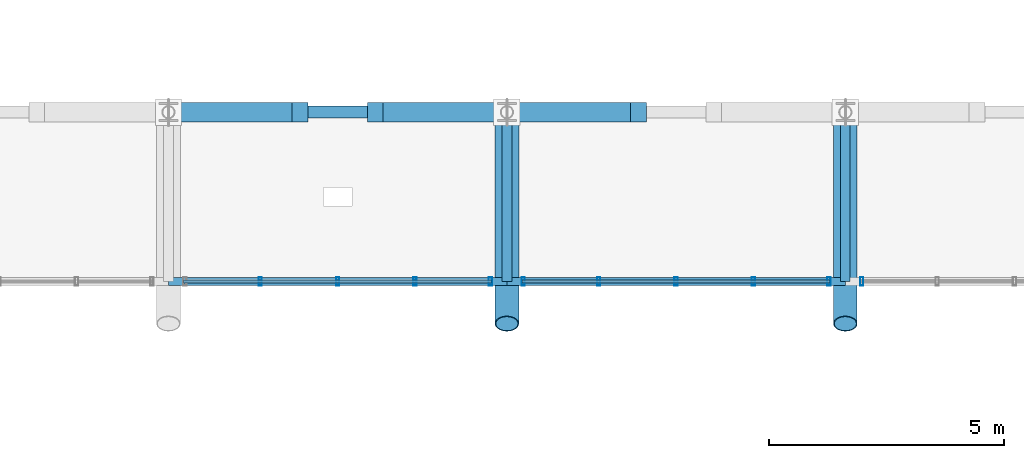
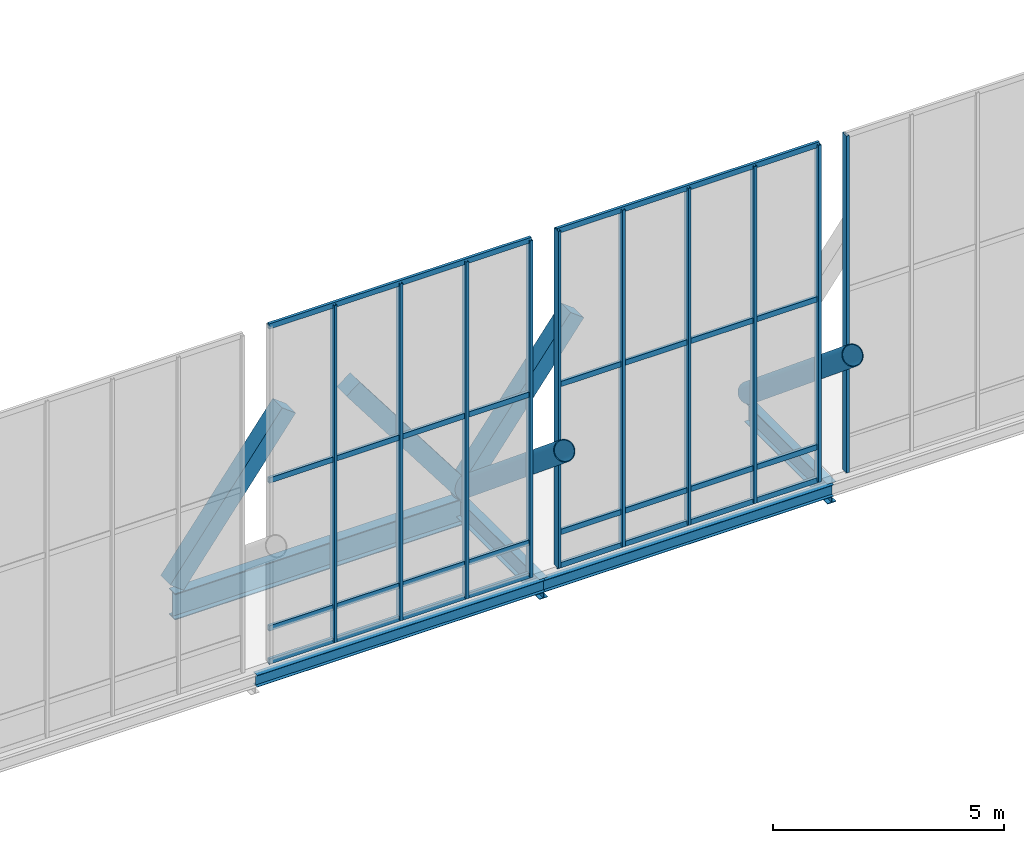
# One storey, part 42 of 102: 23 members, 5 beams, 3 elements without a shape of their own.
"""IFC4 building model written with IfcOpenShell, lengths in metres."""

from ifc_helpers import new_model, si_unit, direction, frame, origin, origin_2d, place, context, subcontext, project, spatial, rectangle, hollow_rectangle, hollow_circle, i_section, extrude, material, material_profile, profile_set, type_object, element, aggregate, save


model = new_model("IFC4")

# Units and contexts
model_context = context("Model", 3, precision=1e-05, world=origin(), true_north=direction((0.0, 1.0)))
body_context = subcontext(model_context, "Body", "Model", "MODEL_VIEW")
ifc_project = project(units=[si_unit("LENGTHUNIT", "METRE"), si_unit("AREAUNIT", "SQUARE_METRE"), si_unit("VOLUMEUNIT", "CUBIC_METRE"), si_unit("PLANEANGLEUNIT", "RADIAN"), si_unit("MASSUNIT", "GRAM", prefix="KILO")], contexts=[model_context])

# Site, building, storey
site_placement = place(None, origin())
site = spatial("IfcSite", under=ifc_project, at=site_placement, CompositionType="ELEMENT")
building_placement = place(site_placement, origin())
building = spatial("IfcBuilding", under=site, at=building_placement, Name="Yarey Park Central Fire Station", CompositionType="ELEMENT")
storey_placement = place(building_placement, frame((0.0, 0.0, 6.0)))
storey = spatial("IfcBuildingStorey", under=building, at=storey_placement, Name="L02", CompositionType="ELEMENT", Elevation=6.0)

# Curtain wall, members
ifc_material_1 = material(Name="Anodized Aluminium Frame", Category="aluminium")
curtain_wall_type = type_object("IfcCurtainWallType", Name="ENV_CW_CLER_9M", PredefinedType="NOTDEFINED", material=ifc_material_1)
curtain_wall_1_placement = place(storey_placement, origin())
curtain_wall_1 = element("IfcCurtainWall", 1, at=curtain_wall_1_placement, inside=storey, type_object=curtain_wall_type, Name="CW_V2_CLER_N_05", PredefinedType="NOTDEFINED")
ifc_material_profile_1 = material_profile(ifc_material_1, hollow_rectangle(XDim=0.070068359375, YDim=0.179931640625, WallThickness=0.00390625, at=origin_2d()), Name="ALU 180x70x4")
ifc_profile_set_1 = profile_set([ifc_material_profile_1], Name="Anodized Aluminium Frame")
member_type_1 = type_object("IfcMemberType", Name="ENV_CW_MULLION", PredefinedType="MULLION", material=ifc_profile_set_1)
member_1_placement = place(storey_placement, frame((93.25, 90.0, 0.0), z_axis=(0.0, 0.0, 1.0), x_axis=(1.0, 0.0, 0.0)))
member_1 = element("IfcMember", 2, at=member_1_placement, type_object=member_type_1, Name="CW_V2_CLER_N_05_MUL1", PredefinedType="MULLION", context=body_context, shape_type="SweptSolid", body=[
    extrude(hollow_rectangle(XDim=0.070068359375, YDim=0.179931640625, WallThickness=0.00390625, at=origin_2d()), origin(), (0.0, 0.0, 1.0), 8.89990234375),
])
member_2_placement = place(storey_placement, frame((91.64501953125, 90.0, 0.0), z_axis=(0.0, 0.0, 1.0), x_axis=(1.0, 0.0, 0.0)))
member_2 = element("IfcMember", 3, at=member_2_placement, type_object=member_type_1, Name="CW_V2_CLER_N_05_MUL2", PredefinedType="MULLION", context=body_context, shape_type="SweptSolid", body=[
    extrude(hollow_rectangle(XDim=0.070068359375, YDim=0.179931640625, WallThickness=0.00390625, at=origin_2d()), origin(), (0.0, 0.0, 1.0), 8.89990234375),
])
member_3_placement = place(storey_placement, frame((90.0, 90.0, 0.0), z_axis=(0.0, 0.0, 1.0), x_axis=(1.0, 0.0, 0.0)))
member_3 = element("IfcMember", 4, at=member_3_placement, type_object=member_type_1, Name="CW_V2_CLER_N_05_MUL3", PredefinedType="MULLION", context=body_context, shape_type="SweptSolid", body=[
    extrude(hollow_rectangle(XDim=0.070068359375, YDim=0.179931640625, WallThickness=0.00390625, at=origin_2d()), origin(), (0.0, 0.0, 1.0), 8.89990234375),
])
member_4_placement = place(storey_placement, frame((88.35498046875, 90.0, 0.0), z_axis=(0.0, 0.0, 1.0), x_axis=(1.0, 0.0, 0.0)))
member_4 = element("IfcMember", 5, at=member_4_placement, type_object=member_type_1, Name="CW_V2_CLER_N_05_MUL4", PredefinedType="MULLION", context=body_context, shape_type="SweptSolid", body=[
    extrude(hollow_rectangle(XDim=0.070068359375, YDim=0.179931640625, WallThickness=0.00390625, at=origin_2d()), origin(), (0.0, 0.0, 1.0), 8.89990234375),
])

curtain_wall_2_placement = place(storey_placement, origin())
curtain_wall_2 = element("IfcCurtainWall", 6, at=curtain_wall_2_placement, inside=storey, type_object=curtain_wall_type, Name="CW_V2_CLER_N_06", PredefinedType="NOTDEFINED")
member_5_placement = place(storey_placement, frame((100.449951171875, 90.0, 0.0), z_axis=(0.0, 0.0, 1.0), x_axis=(1.0, 0.0, 0.0)))
member_5 = element("IfcMember", 7, at=member_5_placement, type_object=member_type_1, Name="CW_V2_CLER_N_06_MUL1", PredefinedType="MULLION", context=body_context, shape_type="SweptSolid", body=[
    extrude(hollow_rectangle(XDim=0.070068359375, YDim=0.179931640625, WallThickness=0.00390625, at=origin_2d()), origin(), (0.0, 0.0, 1.0), 8.89990234375),
])
member_6_placement = place(storey_placement, frame((98.844970703125, 90.0, 0.0), z_axis=(0.0, 0.0, 1.0), x_axis=(1.0, 0.0, 0.0)))
member_6 = element("IfcMember", 8, at=member_6_placement, type_object=member_type_1, Name="CW_V2_CLER_N_06_MUL2", PredefinedType="MULLION", context=body_context, shape_type="SweptSolid", body=[
    extrude(hollow_rectangle(XDim=0.070068359375, YDim=0.179931640625, WallThickness=0.00390625, at=origin_2d()), origin(), (0.0, 0.0, 1.0), 8.89990234375),
])
member_7_placement = place(storey_placement, frame((97.199951171875, 90.0, 0.0), z_axis=(0.0, 0.0, 1.0), x_axis=(1.0, 0.0, 0.0)))
member_7 = element("IfcMember", 9, at=member_7_placement, type_object=member_type_1, Name="CW_V2_CLER_N_06_MUL3", PredefinedType="MULLION", context=body_context, shape_type="SweptSolid", body=[
    extrude(hollow_rectangle(XDim=0.070068359375, YDim=0.179931640625, WallThickness=0.00390625, at=origin_2d()), origin(), (0.0, 0.0, 1.0), 8.89990234375),
])
member_8_placement = place(storey_placement, frame((95.554931640625, 90.0, 0.0), z_axis=(0.0, 0.0, 1.0), x_axis=(1.0, 0.0, 0.0)))
member_8 = element("IfcMember", 10, at=member_8_placement, type_object=member_type_1, Name="CW_V2_CLER_N_06_MUL4", PredefinedType="MULLION", context=body_context, shape_type="SweptSolid", body=[
    extrude(hollow_rectangle(XDim=0.070068359375, YDim=0.179931640625, WallThickness=0.00390625, at=origin_2d()), origin(), (0.0, 0.0, 1.0), 8.89990234375),
])
member_9_placement = place(storey_placement, frame((93.949951171875, 90.0, 0.0), z_axis=(0.0, 0.0, 1.0), x_axis=(1.0, 0.0, 0.0)))
member_9 = element("IfcMember", 11, at=member_9_placement, type_object=member_type_1, Name="CW_V2_CLER_N_06_MUL5", PredefinedType="MULLION", context=body_context, shape_type="SweptSolid", body=[
    extrude(hollow_rectangle(XDim=0.070068359375, YDim=0.179931640625, WallThickness=0.00390625, at=origin_2d()), origin(), (0.0, 0.0, 1.0), 8.89990234375),
])

# Curtain wall, member
curtain_wall_3_placement = place(storey_placement, origin())
curtain_wall_3 = element("IfcCurtainWall", 12, at=curtain_wall_3_placement, inside=storey, type_object=curtain_wall_type, Name="CW_V2_CLER_N_07", PredefinedType="NOTDEFINED")
member_10_placement = place(storey_placement, frame((101.14990234375, 90.0, 0.0), z_axis=(0.0, 0.0, 1.0), x_axis=(1.0, 0.0, 0.0)))
member_10 = element("IfcMember", 13, at=member_10_placement, type_object=member_type_1, Name="CW_V2_CLER_N_07_MUL5", PredefinedType="MULLION", context=body_context, shape_type="SweptSolid", body=[
    extrude(hollow_rectangle(XDim=0.070068359375, YDim=0.179931640625, WallThickness=0.00390625, at=origin_2d()), origin(), (0.0, 0.0, 1.0), 8.89990234375),
])
aggregate(curtain_wall_3, [member_10])

# Member
ifc_material_profile_2 = material_profile(ifc_material_1, hollow_rectangle(XDim=0.070068359375, YDim=0.139892578125, WallThickness=0.00390625, at=origin_2d()), Name="ALU 140x70x4")
ifc_profile_set_2 = profile_set([ifc_material_profile_2], Name="Anodized Aluminium Frame")
member_type_2 = type_object("IfcMemberType", Name="ENV_CW_TRANSOM", PredefinedType="USERDEFINED", material=ifc_profile_set_2)
member_11_placement = place(storey_placement, frame((93.27490234375, 90.0, 0.02490234375), z_axis=(-1.0, 0.0, 0.0), x_axis=(0.0, -1.0, 0.0)))
member_11 = element("IfcMember", 14, at=member_11_placement, type_object=member_type_2, Name="CW_V2_CLER_N_05_TRN1", ObjectType="TRANSOM", PredefinedType="USERDEFINED", context=body_context, shape_type="SweptSolid", body=[
    extrude(hollow_rectangle(XDim=0.070068359375, YDim=0.139892578125, WallThickness=0.00390625, at=origin_2d()), origin(), (0.0, 0.0, 1.0), 6.5498046875),
])

member_12_placement = place(storey_placement, frame((93.27490234375, 90.0, 0.89990234375), z_axis=(-1.0, 0.0, 0.0), x_axis=(0.0, -1.0, 0.0)))
member_12 = element("IfcMember", 15, at=member_12_placement, type_object=member_type_2, Name="CW_V2_CLER_N_05_TRN2", ObjectType="TRANSOM", PredefinedType="USERDEFINED", context=body_context, shape_type="SweptSolid", body=[
    extrude(hollow_rectangle(XDim=0.070068359375, YDim=0.139892578125, WallThickness=0.00390625, at=origin_2d()), origin(), (0.0, 0.0, 1.0), 6.5498046875),
])

member_13_placement = place(storey_placement, frame((93.27490234375, 90.0, 4.805908203125), z_axis=(-1.0, 0.0, 0.0), x_axis=(0.0, -1.0, 0.0)))
member_13 = element("IfcMember", 16, at=member_13_placement, type_object=member_type_2, Name="CW_V2_CLER_N_05_TRN3", ObjectType="TRANSOM", PredefinedType="USERDEFINED", context=body_context, shape_type="SweptSolid", body=[
    extrude(hollow_rectangle(XDim=0.070068359375, YDim=0.139892578125, WallThickness=0.00390625, at=origin_2d()), origin(), (0.0, 0.0, 1.0), 6.5498046875),
])

member_14_placement = place(storey_placement, frame((93.27490234375, 90.0, 8.875), z_axis=(-1.0, 0.0, 0.0), x_axis=(0.0, -1.0, 0.0)))
member_14 = element("IfcMember", 17, at=member_14_placement, type_object=member_type_2, Name="CW_V2_CLER_N_05_TRN4", ObjectType="TRANSOM", PredefinedType="USERDEFINED", context=body_context, shape_type="SweptSolid", body=[
    extrude(hollow_rectangle(XDim=0.070068359375, YDim=0.139892578125, WallThickness=0.00390625, at=origin_2d()), origin(), (0.0, 0.0, 1.0), 6.5498046875),
])

aggregate(curtain_wall_1, [member_1, member_2, member_3, member_4, member_11, member_12, member_13, member_14])

member_15_placement = place(storey_placement, frame((100.47509765625, 90.0, 0.02490234375), z_axis=(-1.0, 0.0, 0.0), x_axis=(0.0, -1.0, 0.0)))
member_15 = element("IfcMember", 18, at=member_15_placement, type_object=member_type_2, Name="CW_V2_CLER_N_06_TRN1", ObjectType="TRANSOM", PredefinedType="USERDEFINED", context=body_context, shape_type="SweptSolid", body=[
    extrude(hollow_rectangle(XDim=0.070068359375, YDim=0.139892578125, WallThickness=0.00390625, at=origin_2d()), origin(), (0.0, 0.0, 1.0), 6.550048828125),
])

member_16_placement = place(storey_placement, frame((100.47509765625, 90.0, 0.89990234375), z_axis=(-1.0, 0.0, 0.0), x_axis=(0.0, -1.0, 0.0)))
member_16 = element("IfcMember", 19, at=member_16_placement, type_object=member_type_2, Name="CW_V2_CLER_N_06_TRN2", ObjectType="TRANSOM", PredefinedType="USERDEFINED", context=body_context, shape_type="SweptSolid", body=[
    extrude(hollow_rectangle(XDim=0.070068359375, YDim=0.139892578125, WallThickness=0.00390625, at=origin_2d()), origin(), (0.0, 0.0, 1.0), 6.550048828125),
])

member_17_placement = place(storey_placement, frame((100.47509765625, 90.0, 4.805908203125), z_axis=(-1.0, 0.0, 0.0), x_axis=(0.0, -1.0, 0.0)))
member_17 = element("IfcMember", 20, at=member_17_placement, type_object=member_type_2, Name="CW_V2_CLER_N_06_TRN3", ObjectType="TRANSOM", PredefinedType="USERDEFINED", context=body_context, shape_type="SweptSolid", body=[
    extrude(hollow_rectangle(XDim=0.070068359375, YDim=0.139892578125, WallThickness=0.00390625, at=origin_2d()), origin(), (0.0, 0.0, 1.0), 6.550048828125),
])

member_18_placement = place(storey_placement, frame((100.47509765625, 90.0, 8.875), z_axis=(-1.0, 0.0, 0.0), x_axis=(0.0, -1.0, 0.0)))
member_18 = element("IfcMember", 21, at=member_18_placement, type_object=member_type_2, Name="CW_V2_CLER_N_06_TRN4", ObjectType="TRANSOM", PredefinedType="USERDEFINED", context=body_context, shape_type="SweptSolid", body=[
    extrude(hollow_rectangle(XDim=0.070068359375, YDim=0.139892578125, WallThickness=0.00390625, at=origin_2d()), origin(), (0.0, 0.0, 1.0), 6.550048828125),
])

aggregate(curtain_wall_2, [member_5, member_6, member_7, member_8, member_9, member_15, member_16, member_17, member_18])

# Beams
ifc_material_2 = material(Name="Steel ASTM A992 Gr. 50", Category="steel")
ifc_material_profile_3 = material_profile(ifc_material_2, i_section(OverallWidth=0.208984375, OverallDepth=0.532958984375, WebThickness=0.01025390625, FlangeThickness=0.015625, at=origin_2d()), Name="W530x92")
ifc_profile_set_3 = profile_set([ifc_material_profile_3], Name="Steel ASTM A992 Gr. 50")
beam_type_1 = type_object("IfcBeamType", Name="STR_BM_W530", PredefinedType="BEAM", material=ifc_profile_set_3)
for number, where, z_axis, x_axis, name in (
    (22, (93.60009765625, 90.0, -0.46142578125), (0.0, 1.0, 0.0), (-1.0, 0.0, 0.0), "EAVE RIB N 05"),
    (23, (100.800048828125, 90.0, -0.46142578125), (0.0, 1.0, 0.0), (-1.0, 0.0, 0.0), "EAVE RIB N 06"),
):
    element("IfcBeam", number, at=place(storey_placement, frame(where, z_axis=z_axis, x_axis=x_axis)), inside=storey, type_object=beam_type_1, Name=name, PredefinedType="BEAM", context=body_context, shape_type="SweptSolid", body=[
        extrude(i_section(OverallWidth=0.208984375, OverallDepth=0.532958984375, WebThickness=0.01025390625, FlangeThickness=0.015625, at=origin_2d()), origin(), (0.0, 0.0, 1.0), 3.60009765625),
    ])
ifc_material_profile_4 = material_profile(ifc_material_2, i_section(OverallWidth=0.256103515625, OverallDepth=0.693115234375, WebThickness=0.014404296875, FlangeThickness=0.023681640625, at=origin_2d()), Name="W690x170")
ifc_profile_set_4 = profile_set([ifc_material_profile_4], Name="Steel ASTM A992 Gr. 50")
beam_type_2 = type_object("IfcBeamType", Name="STR_BM_W690", PredefinedType="BEAM", material=ifc_profile_set_4)
beam_1_placement = place(storey_placement, frame((86.39990234375, 93.60009765625, -0.54150390625), z_axis=(1.0, 0.0, 0.0), x_axis=(0.0, 1.0, 0.0)))
element("IfcBeam", 24, at=beam_1_placement, inside=storey, type_object=beam_type_2, Name="BMX L02 Y936 X864", PredefinedType="BEAM", context=body_context, shape_type="SweptSolid", body=[
    extrude(i_section(OverallWidth=0.256103515625, OverallDepth=0.693115234375, WebThickness=0.014404296875, FlangeThickness=0.023681640625, at=origin_2d()), origin(), (0.0, 0.0, 1.0), 7.2001953125),
])

# Members
ifc_material_3 = material(Name="Steel ASTM A500 Gr. C", Category="steel")
ifc_material_profile_5 = material_profile(ifc_material_3, hollow_circle(Radius=0.25390625, WallThickness=0.02001953125, at=origin_2d()), Name="CHS 508x20")
ifc_profile_set_5 = profile_set([ifc_material_profile_5], Name="Steel ASTM A500 Gr. C")
member_type_3 = type_object("IfcMemberType", Name="STR_CHORD_CHS508", PredefinedType="CHORD", material=ifc_profile_set_5)
for number, where, z_axis, x_axis, name in (
    (25, (93.60009765625, 89.10009765625, 3.71875), (0.0, 0.770847459396, -0.637019775473), (-1.0, 0.0, 0.0), "Arched Roof Truss ART_06 Bottom Chord 8"),
    (26, (100.800048828125, 89.10009765625, 3.71875), (0.0, 0.770847459396, -0.637019775473), (-1.0, 0.0, 0.0), "Arched Roof Truss ART_07 Bottom Chord 8"),
):
    element("IfcMember", number, at=place(storey_placement, frame(where, z_axis=z_axis, x_axis=x_axis)), inside=storey, type_object=member_type_3, Name=name, PredefinedType="CHORD", context=body_context, shape_type="SweptSolid", body=[
        extrude(hollow_circle(Radius=0.25390625, WallThickness=0.02001953125, at=origin_2d()), origin(), (0.0, 0.0, 1.0), 5.837646484375),
    ])

# Beams
ifc_material_profile_6 = material_profile(ifc_material_2, i_section(OverallWidth=0.1650390625, OverallDepth=0.31005859375, WebThickness=0.005859375, FlangeThickness=0.009765625, at=origin_2d()), Name="W310x39")
ifc_profile_set_6 = profile_set([ifc_material_profile_6], Name="Steel ASTM A992 Gr. 50")
beam_type_3 = type_object("IfcBeamType", Name="STR_SPN_W310", PredefinedType="SPANDREL", material=ifc_profile_set_6)
beam_2_placement = place(storey_placement, frame((86.39990234375, 90.0, -0.35009765625), z_axis=(1.0, 0.0, 0.0), x_axis=(0.0, 1.0, 0.0)))
element("IfcBeam", 27, at=beam_2_placement, inside=storey, type_object=beam_type_3, Name="EAVE EDG N 04", PredefinedType="SPANDREL", context=body_context, shape_type="SweptSolid", body=[
    extrude(i_section(OverallWidth=0.1650390625, OverallDepth=0.31005859375, WebThickness=0.005859375, FlangeThickness=0.009765625, at=origin_2d()), origin(), (0.0, 0.0, 1.0), 7.2001953125),
])
beam_3_placement = place(storey_placement, frame((93.60009765625, 90.0, -0.35009765625), z_axis=(1.0, 0.0, 0.0), x_axis=(0.0, 1.0, 0.0)))
element("IfcBeam", 28, at=beam_3_placement, inside=storey, type_object=beam_type_3, Name="EAVE EDG N 05", PredefinedType="SPANDREL", context=body_context, shape_type="SweptSolid", body=[
    extrude(i_section(OverallWidth=0.1650390625, OverallDepth=0.31005859375, WebThickness=0.005859375, FlangeThickness=0.009765625, at=origin_2d()), origin(), (0.0, 0.0, 1.0), 7.199951171875),
])

# Members
ifc_material_4 = material(Name="Glulam GL28h", Category="wood")
ifc_material_profile_7 = material_profile(ifc_material_4, rectangle(XDim=0.419921875, YDim=0.419921875, at=origin_2d()), Name="GL 420x420")
ifc_profile_set_7 = profile_set([ifc_material_profile_7], Name="Glulam GL28h")
member_type_4 = type_object("IfcMemberType", Name="STR_STRUT_GL420", PredefinedType="STRUT", material=ifc_profile_set_7)
member_19_placement = place(storey_placement, frame((86.39990234375, 93.60009765625, 0.02001953125), z_axis=(0.603454425048, 0.0, 0.797397489895), x_axis=(0.0, 1.0, 0.0)))
element("IfcMember", 29, at=member_19_placement, inside=storey, type_object=member_type_4, Name="Raked Glulam Strut RGS-039", PredefinedType="STRUT", context=body_context, shape_type="SweptSolid", body=[
    extrude(rectangle(XDim=0.419921875, YDim=0.419921875, at=origin_2d()), origin(), (0.0, 0.0, 1.0), 4.64013671875),
])
member_20_placement = place(storey_placement, frame((93.60009765625, 93.60009765625, 0.02001953125), z_axis=(0.603420967868, 0.0, 0.797422808514), x_axis=(0.0, 1.0, 0.0)))
element("IfcMember", 30, at=member_20_placement, inside=storey, type_object=member_type_4, Name="Raked Glulam Strut RGS-043", PredefinedType="STRUT", context=body_context, shape_type="SweptSolid", body=[
    extrude(rectangle(XDim=0.419921875, YDim=0.419921875, at=origin_2d()), origin(), (0.0, 0.0, 1.0), 4.639892578125),
])
member_21_placement = place(storey_placement, frame((93.60009765625, 93.60009765625, 0.02001953125), z_axis=(-0.603454425048, 0.0, 0.797397489895), x_axis=(0.0, -1.0, 0.0)))
element("IfcMember", 31, at=member_21_placement, inside=storey, type_object=member_type_4, Name="Raked Glulam Strut RGS-044", PredefinedType="STRUT", context=body_context, shape_type="SweptSolid", body=[
    extrude(rectangle(XDim=0.419921875, YDim=0.419921875, at=origin_2d()), origin(), (0.0, 0.0, 1.0), 4.64013671875),
])

save(model, "model.ifc")
